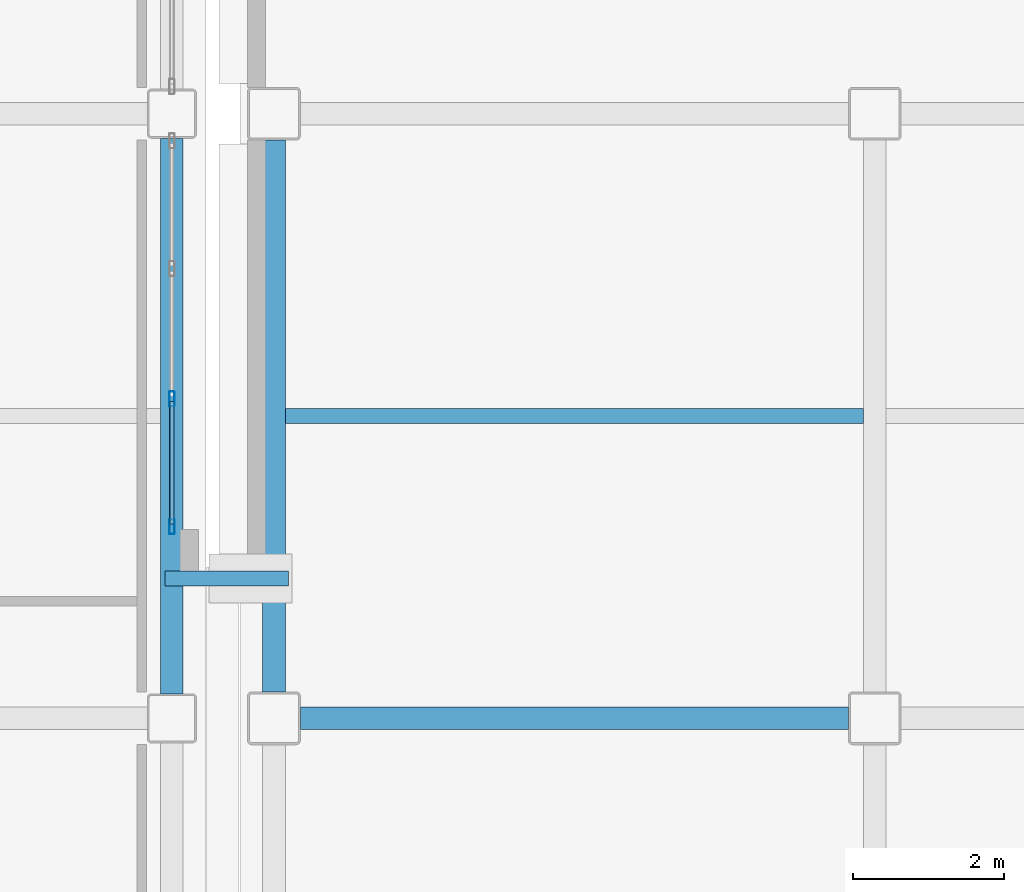
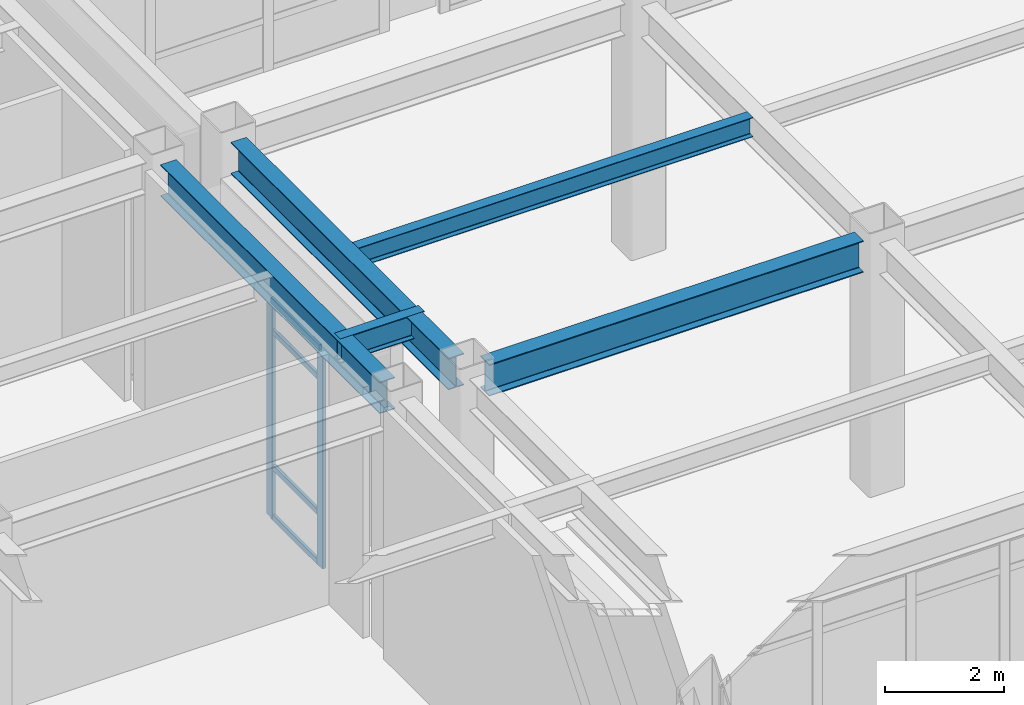
# One storey, part 47 of 165: 6 members, 5 beams, 1 element without a shape of its own.
"""IFC4 building model written with IfcOpenShell, lengths in metres."""

from ifc_helpers import new_model, si_unit, direction, frame, origin, origin_2d, place, context, subcontext, project, spatial, hollow_rectangle, i_section, extrude, material, layer, layer_set, material_profile, profile_set, type_object, element, aggregate, save


model = new_model("IFC4")

# Units and contexts
model_context = context("Model", 3, precision=1e-05, world=origin(), true_north=direction((0.0, 1.0)))
body_context = subcontext(model_context, "Body", "Model", "MODEL_VIEW")
ifc_project = project(units=[si_unit("LENGTHUNIT", "METRE"), si_unit("AREAUNIT", "SQUARE_METRE"), si_unit("VOLUMEUNIT", "CUBIC_METRE"), si_unit("PLANEANGLEUNIT", "RADIAN"), si_unit("MASSUNIT", "GRAM", prefix="KILO")], contexts=[model_context])

# Site, building, storey
site_placement = place(None, origin())
site = spatial("IfcSite", under=ifc_project, at=site_placement, CompositionType="ELEMENT")
building_placement = place(site_placement, origin())
building = spatial("IfcBuilding", under=site, at=building_placement, Name="Kazehara Bluff Congress Hotel", CompositionType="ELEMENT")
storey_placement = place(building_placement, origin())
storey = spatial("IfcBuildingStorey", under=building, at=storey_placement, Name="L00", CompositionType="ELEMENT", Elevation=0.0)

# Curtain wall, members
ifc_material_1 = material(Name="Anodised aluminium", Category="aluminium")
ifc_layer = layer(ifc_material_1, 0.159912109375)
ifc_layer_set = layer_set([ifc_layer], Name="Anodised aluminium")
curtain_wall_type = type_object("IfcCurtainWallType", Name="TP-CW-49", PredefinedType="NOTDEFINED", material=ifc_layer_set)
curtain_wall_placement = place(storey_placement, origin())
curtain_wall = element("IfcCurtainWall", 1, at=curtain_wall_placement, inside=storey, type_object=curtain_wall_type, Name="L00 curtain wall CW-49 CW-V4-L00-X10920-2650", PredefinedType="NOTDEFINED")
ifc_material_2 = material(Name="Anodised aluminium", Category="aluminium")
ifc_material_profile_1 = material_profile(ifc_material_2, hollow_rectangle(XDim=0.070068359375, YDim=0.199951171875, WallThickness=0.0048828125, InnerFilletRadius=0.0048828125, OuterFilletRadius=0.010009765625, at=origin_2d()))
ifc_profile_set_1 = profile_set([ifc_material_profile_1], Name="Anodised aluminium")
member_type_1 = type_object("IfcMemberType", Name="TP-CWM-03", PredefinedType="MULLION", material=ifc_profile_set_1)
member_1_placement = place(storey_placement, frame((109.199951171875, 26.534912109375, 0.0), z_axis=(0.0, 0.0, 1.0), x_axis=(-1.0, 0.0, 0.0)))
member_1 = element("IfcMember", 2, at=member_1_placement, type_object=member_type_1, Name="CW-49 mullion 1", PredefinedType="MULLION", context=body_context, shape_type="SweptSolid", body=[
    extrude(hollow_rectangle(XDim=0.070068359375, YDim=0.199951171875, WallThickness=0.0048828125, InnerFilletRadius=0.0048828125, OuterFilletRadius=0.010009765625, at=origin_2d()), origin(), (0.0, 0.0, 1.0), 4.47509765625),
])
member_2_placement = place(storey_placement, frame((109.199951171875, 28.22509765625, 0.0), z_axis=(0.0, 0.0, 1.0), x_axis=(-1.0, 0.0, 0.0)))
member_2 = element("IfcMember", 3, at=member_2_placement, type_object=member_type_1, Name="CW-49 mullion 2", PredefinedType="MULLION", context=body_context, shape_type="SweptSolid", body=[
    extrude(hollow_rectangle(XDim=0.070068359375, YDim=0.199951171875, WallThickness=0.0048828125, InnerFilletRadius=0.0048828125, OuterFilletRadius=0.010009765625, at=origin_2d()), origin(), (0.0, 0.0, 1.0), 4.47509765625),
])
ifc_material_3 = material(Name="Anodised aluminium", Category="aluminium")
ifc_material_profile_2 = material_profile(ifc_material_3, hollow_rectangle(XDim=0.06005859375, YDim=0.1201171875, WallThickness=0.00390625, InnerFilletRadius=0.00390625, OuterFilletRadius=0.008056640625, at=origin_2d()))
ifc_profile_set_2 = profile_set([ifc_material_profile_2], Name="Anodised aluminium")
member_type_2 = type_object("IfcMemberType", Name="TP-CWT-01", PredefinedType="USERDEFINED", material=ifc_profile_set_2)
member_3_placement = place(storey_placement, frame((109.199951171875, 26.570068359375, 0.030029296875), z_axis=(0.0, 1.0, 0.0), x_axis=(-1.0, 0.0, 0.0)))
member_3 = element("IfcMember", 4, at=member_3_placement, type_object=member_type_2, Name="CW-49 transom 1.1", ObjectType="TRANSOM", PredefinedType="USERDEFINED", context=body_context, shape_type="SweptSolid", body=[
    extrude(hollow_rectangle(XDim=0.06005859375, YDim=0.1201171875, WallThickness=0.00390625, InnerFilletRadius=0.00390625, OuterFilletRadius=0.008056640625, at=origin_2d()), origin(), (0.0, 0.0, 1.0), 1.619873046875),
])
member_4_placement = place(storey_placement, frame((109.199951171875, 26.570068359375, 1.050048828125), z_axis=(0.0, 1.0, 0.0), x_axis=(-1.0, 0.0, 0.0)))
member_4 = element("IfcMember", 5, at=member_4_placement, type_object=member_type_2, Name="CW-49 transom 1.2", ObjectType="TRANSOM", PredefinedType="USERDEFINED", context=body_context, shape_type="SweptSolid", body=[
    extrude(hollow_rectangle(XDim=0.06005859375, YDim=0.1201171875, WallThickness=0.00390625, InnerFilletRadius=0.00390625, OuterFilletRadius=0.008056640625, at=origin_2d()), origin(), (0.0, 0.0, 1.0), 1.619873046875),
])
member_5_placement = place(storey_placement, frame((109.199951171875, 26.570068359375, 3.824951171875), z_axis=(0.0, 1.0, 0.0), x_axis=(-1.0, 0.0, 0.0)))
member_5 = element("IfcMember", 6, at=member_5_placement, type_object=member_type_2, Name="CW-49 transom 1.3", ObjectType="TRANSOM", PredefinedType="USERDEFINED", context=body_context, shape_type="SweptSolid", body=[
    extrude(hollow_rectangle(XDim=0.06005859375, YDim=0.1201171875, WallThickness=0.00390625, InnerFilletRadius=0.00390625, OuterFilletRadius=0.008056640625, at=origin_2d()), origin(), (0.0, 0.0, 1.0), 1.619873046875),
])
member_6_placement = place(storey_placement, frame((109.199951171875, 26.570068359375, 4.445068359375), z_axis=(0.0, 1.0, 0.0), x_axis=(-1.0, 0.0, 0.0)))
member_6 = element("IfcMember", 7, at=member_6_placement, type_object=member_type_2, Name="CW-49 transom 1.4", ObjectType="TRANSOM", PredefinedType="USERDEFINED", context=body_context, shape_type="SweptSolid", body=[
    extrude(hollow_rectangle(XDim=0.06005859375, YDim=0.1201171875, WallThickness=0.00390625, InnerFilletRadius=0.00390625, OuterFilletRadius=0.008056640625, at=origin_2d()), origin(), (0.0, 0.0, 1.0), 1.619873046875),
])
aggregate(curtain_wall, [member_1, member_2, member_3, member_4, member_5, member_6])

# Beams
ifc_material_4 = material(Name="Steel SN490B", Category="steel")
ifc_material_profile_3 = material_profile(ifc_material_4, i_section(OverallWidth=0.199951171875, OverallDepth=0.5, WebThickness=0.010009765625, FlangeThickness=0.01611328125, FilletRadius=0.012939453125, at=origin_2d()))
ifc_profile_set_3 = profile_set([ifc_material_profile_3], Name="Steel SN490B")
beam_type_1 = type_object("IfcBeamType", Name="TP-G-01", PredefinedType="BEAM", material=ifc_profile_set_3)
beam_1_placement = place(storey_placement, frame((109.110107421875, 25.85009765625, 4.89990234375), z_axis=(1.0, 0.0, 0.0), x_axis=(0.0, 1.0, 0.0)))
element("IfcBeam", 8, at=beam_1_placement, inside=storey, type_object=beam_type_1, Name="Bridge link beam BRG-45 L01-2", PredefinedType="BEAM", context=body_context, shape_type="SweptSolid", body=[
    extrude(i_section(OverallWidth=0.199951171875, OverallDepth=0.5, WebThickness=0.010009765625, FlangeThickness=0.01611328125, FilletRadius=0.012939453125, at=origin_2d()), origin(), (0.0, 0.0, 1.0), 1.6298828125),
])
ifc_material_5 = material(Name="Steel SN490B", Category="steel")
ifc_material_profile_4 = material_profile(ifc_material_5, i_section(OverallWidth=0.300048828125, OverallDepth=0.64990234375, WebThickness=0.011962890625, FlangeThickness=0.02001953125, FilletRadius=0.012939453125, at=origin_2d()))
ifc_profile_set_4 = profile_set([ifc_material_profile_4], Name="Steel SN490B")
beam_type_2 = type_object("IfcBeamType", Name="TP-G-03", PredefinedType="BEAM", material=ifc_profile_set_4)
beam_2_placement = place(storey_placement, frame((109.199951171875, 24.324951171875, 4.824951171875), z_axis=(0.0, 1.0, 0.0), x_axis=(-1.0, 0.0, 0.0)))
element("IfcBeam", 9, at=beam_2_placement, inside=storey, type_object=beam_type_2, Name="L00 girder G-03 181", PredefinedType="BEAM", context=body_context, shape_type="SweptSolid", body=[
    extrude(i_section(OverallWidth=0.300048828125, OverallDepth=0.64990234375, WebThickness=0.011962890625, FlangeThickness=0.02001953125, FilletRadius=0.012939453125, at=origin_2d()), origin(), (0.0, 0.0, 1.0), 7.35009765625),
])
beam_3_placement = place(storey_placement, frame((110.550048828125, 24.35009765625, 4.824951171875), z_axis=(0.0, 1.0, 0.0), x_axis=(-1.0, 0.0, 0.0)))
element("IfcBeam", 10, at=beam_3_placement, inside=storey, type_object=beam_type_2, Name="L00 girder G-03 222", PredefinedType="BEAM", context=body_context, shape_type="SweptSolid", body=[
    extrude(i_section(OverallWidth=0.300048828125, OverallDepth=0.64990234375, WebThickness=0.011962890625, FlangeThickness=0.02001953125, FilletRadius=0.012939453125, at=origin_2d()), origin(), (0.0, 0.0, 1.0), 7.2998046875),
])
beam_4_placement = place(storey_placement, frame((110.89990234375, 24.0, 4.824951171875), z_axis=(1.0, 0.0, 0.0), x_axis=(0.0, 1.0, 0.0)))
element("IfcBeam", 11, at=beam_4_placement, inside=storey, type_object=beam_type_2, Name="L00 girder G-03 284", PredefinedType="BEAM", context=body_context, shape_type="SweptSolid", body=[
    extrude(i_section(OverallWidth=0.300048828125, OverallDepth=0.64990234375, WebThickness=0.011962890625, FlangeThickness=0.02001953125, FilletRadius=0.012939453125, at=origin_2d()), origin(), (0.0, 0.0, 1.0), 7.25),
])
ifc_material_6 = material(Name="Steel SN400B", Category="steel")
ifc_material_profile_5 = material_profile(ifc_material_6, i_section(OverallWidth=0.199951171875, OverallDepth=0.39990234375, WebThickness=0.008056640625, FlangeThickness=0.012939453125, FilletRadius=0.012939453125, at=origin_2d()))
ifc_profile_set_5 = profile_set([ifc_material_profile_5], Name="Steel SN400B")
beam_type_3 = type_object("IfcBeamType", Name="TP-J-03", PredefinedType="JOIST", material=ifc_profile_set_5)
beam_5_placement = place(storey_placement, frame((110.699951171875, 28.0, 4.949951171875), z_axis=(1.0, 0.0, 0.0), x_axis=(0.0, 1.0, 0.0)))
element("IfcBeam", 12, at=beam_5_placement, inside=storey, type_object=beam_type_3, Name="L00 secondary joist J-03 54", PredefinedType="JOIST", context=body_context, shape_type="SweptSolid", body=[
    extrude(i_section(OverallWidth=0.199951171875, OverallDepth=0.39990234375, WebThickness=0.008056640625, FlangeThickness=0.012939453125, FilletRadius=0.012939453125, at=origin_2d()), origin(), (0.0, 0.0, 1.0), 7.650146484375),
])

save(model, "model.ifc")
